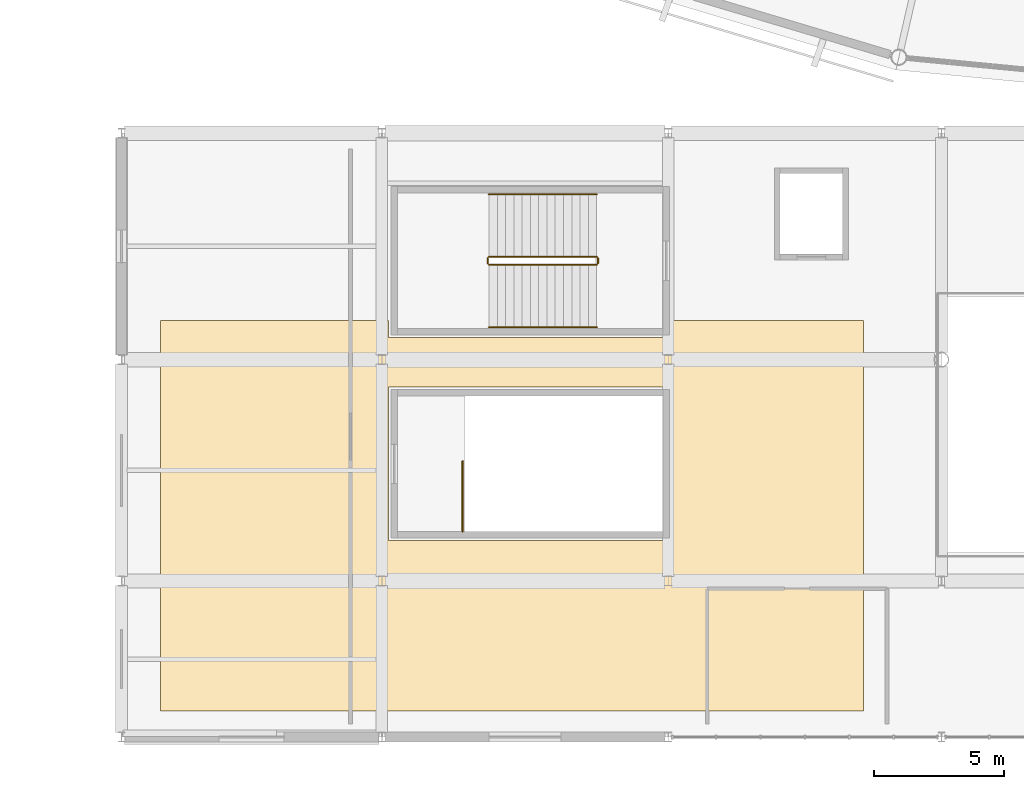
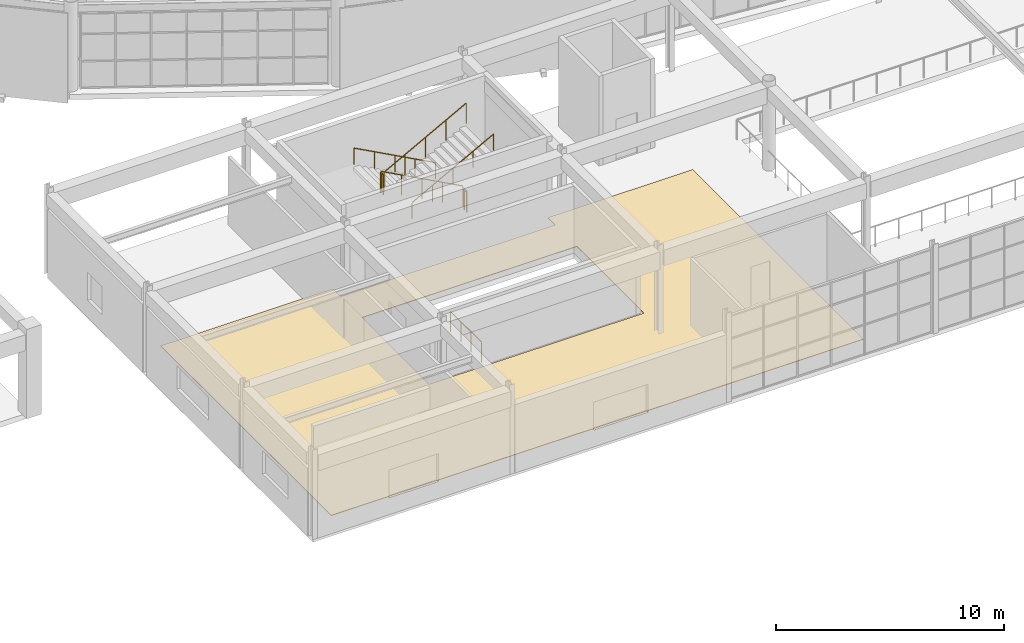
# One storey, part 97 of 112: 7 railings, 1 covering.
"""IFC4 building model written with IfcOpenShell, lengths in metres."""

from ifc_helpers import new_model, si_unit, direction, frame, origin, origin_2d, place, context, subcontext, project, spatial, polyline, circle, outline, extrude, material, layer, layer_set, type_object, element, save


model = new_model("IFC4")

# Units and contexts
model_context = context("Model", 3, precision=1e-05, world=origin(), true_north=direction((0.0, 1.0)))
body_context = subcontext(model_context, "Body", "Model", "MODEL_VIEW")
ifc_project = project(units=[si_unit("LENGTHUNIT", "METRE"), si_unit("AREAUNIT", "SQUARE_METRE"), si_unit("VOLUMEUNIT", "CUBIC_METRE"), si_unit("PLANEANGLEUNIT", "RADIAN"), si_unit("MASSUNIT", "GRAM", prefix="KILO")], contexts=[model_context])

# Site, building, storey
site_placement = place(None, origin())
site = spatial("IfcSite", under=ifc_project, at=site_placement, CompositionType="ELEMENT")
building_placement = place(site_placement, origin())
building = spatial("IfcBuilding", under=site, at=building_placement, Name="Cuetzalor Civic Arena", CompositionType="ELEMENT")
storey_placement = place(building_placement, frame((0.0, 0.0, 11.39990234375)))
storey = spatial("IfcBuildingStorey", under=building, at=storey_placement, Name="L02", CompositionType="ELEMENT", Elevation=11.39990234375)

# Railings
ifc_material_1 = material(Name="Reseda-green architectural Steel S355 balustrade", Category="steel")
railing_type_1 = type_object("IfcRailingType", Name="InteriorVoidBalustrade_1100", PredefinedType="BALUSTRADE", material=ifc_material_1)
railing_1_placement = place(storey_placement, frame((-28.89990234375, -63.60009765625, 0.0)))
element("IfcRailing", 1, at=railing_1_placement, inside=storey, type_object=railing_type_1, Name="L02 ST-09 top well guard 1", PredefinedType="BALUSTRADE", context=body_context, shape_type="SweptSolid", body=[
    extrude(circle(Radius=0.02392578125, at=origin_2d()), frame((0.0, 0.0, 1.0810546875), z_axis=(0.0, 1.0, 0.0), x_axis=(-1.0, 0.0, 0.0)), (0.0, 0.0, 1.0), 2.7001953125),
    extrude(circle(Radius=0.02099609375, at=origin_2d()), origin(), (0.0, 0.0, 1.0), 1.056884765625),
    extrude(circle(Radius=0.02099609375, at=origin_2d()), frame((0.0, 0.900146484375, 0.0)), (0.0, 0.0, 1.0), 1.056884765625),
    extrude(circle(Radius=0.02099609375, at=origin_2d()), frame((0.0, 1.800048828125, 0.0)), (0.0, 0.0, 1.0), 1.056884765625),
    extrude(circle(Radius=0.02099609375, at=origin_2d()), frame((0.0, 2.7001953125, 0.0)), (0.0, 0.0, 1.0), 1.056884765625),
])
railing_2_placement = place(storey_placement, frame((-23.75, -53.050048828125, 0.171630859375)))
element("IfcRailing", 2, at=railing_2_placement, inside=storey, type_object=railing_type_1, Name="L02 ST-10 stair guard 1", PredefinedType="BALUSTRADE", context=body_context, shape_type="SweptSolid", body=[
    extrude(circle(Radius=0.02392578125, at=origin_2d()), frame((0.0, 0.0, 1.0810546875), z_axis=(-0.880248997335, 0.0, 0.474512068014), x_axis=(0.0, -1.0, 0.0)), (0.0, 0.0, 1.0), 4.696533203125),
    extrude(circle(Radius=0.02099609375, at=origin_2d()), origin(), (0.0, 0.0, 1.0), 1.056884765625),
    extrude(circle(Radius=0.02099609375, at=origin_2d()), frame((-1.033447265625, 0.0, 0.55712890625)), (0.0, 0.0, 1.0), 1.056884765625),
    extrude(circle(Radius=0.02099609375, at=origin_2d()), frame((-2.06689453125, 0.0, 1.1142578125)), (0.0, 0.0, 1.0), 1.056884765625),
    extrude(circle(Radius=0.02099609375, at=origin_2d()), frame((-3.1005859375, 0.0, 1.67138671875)), (0.0, 0.0, 1.0), 1.056884765625),
    extrude(circle(Radius=0.02099609375, at=origin_2d()), frame((-4.134033203125, 0.0, 2.228515625)), (0.0, 0.0, 1.0), 1.056884765625),
])
railing_3_placement = place(storey_placement, frame((-27.93408203125, -53.10009765625, 2.400146484375)))
element("IfcRailing", 3, at=railing_3_placement, inside=storey, type_object=railing_type_1, Name="L02 ST-10 stair guard 2", PredefinedType="BALUSTRADE", context=body_context, shape_type="SweptSolid", body=[
    extrude(circle(Radius=0.02392578125, at=origin_2d()), frame((0.0, 0.0, 1.0810546875), z_axis=(0.0, -1.0, 0.0), x_axis=(1.0, 0.0, 0.0)), (0.0, 0.0, 1.0), 0.199951171875),
    extrude(circle(Radius=0.02099609375, at=origin_2d()), origin(), (0.0, 0.0, 1.0), 1.056884765625),
    extrude(circle(Radius=0.02099609375, at=origin_2d()), frame((0.0, -0.199951171875, 0.0)), (0.0, 0.0, 1.0), 1.056884765625),
])
railing_4_placement = place(storey_placement, frame((-27.884033203125, -53.35009765625, 2.571533203125)))
element("IfcRailing", 4, at=railing_4_placement, inside=storey, type_object=railing_type_1, Name="L02 ST-10 stair guard 3", PredefinedType="BALUSTRADE", context=body_context, shape_type="SweptSolid", body=[
    extrude(circle(Radius=0.02392578125, at=origin_2d()), frame((0.0, 0.0, 1.0810546875), z_axis=(0.880248997335, 0.0, 0.474512068014), x_axis=(0.0, 1.0, 0.0)), (0.0, 0.0, 1.0), 4.696533203125),
    extrude(circle(Radius=0.02099609375, at=origin_2d()), origin(), (0.0, 0.0, 1.0), 1.056884765625),
    extrude(circle(Radius=0.02099609375, at=origin_2d()), frame((1.033447265625, 0.0, 0.55712890625)), (0.0, 0.0, 1.0), 1.056884765625),
    extrude(circle(Radius=0.02099609375, at=origin_2d()), frame((2.06689453125, 0.0, 1.1142578125)), (0.0, 0.0, 1.0), 1.056884765625),
    extrude(circle(Radius=0.02099609375, at=origin_2d()), frame((3.1005859375, 0.0, 1.67138671875)), (0.0, 0.0, 1.0), 1.056884765625),
    extrude(circle(Radius=0.02099609375, at=origin_2d()), frame((4.134033203125, 0.0, 2.228515625)), (0.0, 0.0, 1.0), 1.056884765625),
])
railing_5_placement = place(storey_placement, frame((-23.699951171875, -53.10009765625, 0.0)))
element("IfcRailing", 5, at=railing_5_placement, inside=storey, type_object=railing_type_1, Name="L02 ST-10 stair guard 4", PredefinedType="BALUSTRADE", context=body_context, shape_type="SweptSolid", body=[
    extrude(circle(Radius=0.02392578125, at=origin_2d()), frame((0.0, 0.0, 1.0810546875), z_axis=(0.0, -1.0, 0.0), x_axis=(1.0, 0.0, 0.0)), (0.0, 0.0, 1.0), 0.199951171875),
    extrude(circle(Radius=0.02099609375, at=origin_2d()), origin(), (0.0, 0.0, 1.0), 1.056884765625),
    extrude(circle(Radius=0.02099609375, at=origin_2d()), frame((0.0, -0.199951171875, 0.0)), (0.0, 0.0, 1.0), 1.056884765625),
])

# Covering
ifc_material_2 = material(Name="Honed Puebla marble and basalt terrazzo flooring", Category="masonry")
ifc_layer = layer(ifc_material_2, 0.030029296875)
ifc_layer_set = layer_set([ifc_layer], Name="Honed Puebla marble and basalt terrazzo flooring")
covering_type = type_object("IfcCoveringType", Name="PoblanoTerrazzoFlooring_30", PredefinedType="FLOORING", material=ifc_layer_set)
covering_placement = place(storey_placement, origin())
element("IfcCovering", 6, at=covering_placement, inside=storey, type_object=covering_type, Name="Sponsors Dining West Terrazzo", PredefinedType="FLOORING", context=body_context, shape_type="SweptSolid", body=[
    extrude(outline(polyline([(-13.5, -55.5), (-13.5, -70.5), (-40.5, -70.5), (-40.5, -55.5), (-31.75, -55.5), (-31.75, -56.14990234375), (-20.85009765625, -56.14990234375), (-20.85009765625, -55.5), (-13.5, -55.5)]), holes=[polyline([(-20.85009765625, -63.949951171875), (-20.85009765625, -58.050048828125), (-31.75, -58.050048828125), (-31.75, -63.949951171875), (-20.85009765625, -63.949951171875)])]), origin(), (0.0, 0.0, 1.0), 0.030029296875),
])

# Railings
ifc_material_3 = material(Name="Galvanised steel S355", Category="steel")
railing_type_2 = type_object("IfcRailingType", Name="StairPitchHandrail_900", PredefinedType="HANDRAIL", material=ifc_material_3)
railing_6_placement = place(storey_placement, frame((-23.75, -50.64990234375, 0.171630859375)))
element("IfcRailing", 7, at=railing_6_placement, inside=storey, type_object=railing_type_2, Name="L02 ST-10 stair handrail 1", PredefinedType="HANDRAIL", context=body_context, shape_type="SweptSolid", body=[
    extrude(circle(Radius=0.02392578125, at=origin_2d()), frame((0.0, 0.0, 0.8759765625), z_axis=(-0.880248997335, 0.0, 0.474512068014), x_axis=(0.0, -1.0, 0.0)), (0.0, 0.0, 1.0), 4.696533203125),
    extrude(circle(Radius=0.02099609375, at=origin_2d()), origin(), (0.0, 0.0, 1.0), 0.851806640625),
    extrude(circle(Radius=0.02099609375, at=origin_2d()), frame((-1.033447265625, 0.0, 0.55712890625)), (0.0, 0.0, 1.0), 0.851806640625),
    extrude(circle(Radius=0.02099609375, at=origin_2d()), frame((-2.06689453125, 0.0, 1.1142578125)), (0.0, 0.0, 1.0), 0.851806640625),
    extrude(circle(Radius=0.02099609375, at=origin_2d()), frame((-3.1005859375, 0.0, 1.67138671875)), (0.0, 0.0, 1.0), 0.851806640625),
    extrude(circle(Radius=0.02099609375, at=origin_2d()), frame((-4.134033203125, 0.0, 2.228515625)), (0.0, 0.0, 1.0), 0.851806640625),
])
railing_7_placement = place(storey_placement, frame((-27.884033203125, -55.75, 2.571533203125)))
element("IfcRailing", 8, at=railing_7_placement, inside=storey, type_object=railing_type_2, Name="L02 ST-10 stair handrail 2", PredefinedType="HANDRAIL", context=body_context, shape_type="SweptSolid", body=[
    extrude(circle(Radius=0.02392578125, at=origin_2d()), frame((0.0, 0.0, 0.8759765625), z_axis=(0.880248997335, 0.0, 0.474512068014), x_axis=(0.0, 1.0, 0.0)), (0.0, 0.0, 1.0), 4.696533203125),
    extrude(circle(Radius=0.02099609375, at=origin_2d()), origin(), (0.0, 0.0, 1.0), 0.851806640625),
    extrude(circle(Radius=0.02099609375, at=origin_2d()), frame((1.033447265625, 0.0, 0.55712890625)), (0.0, 0.0, 1.0), 0.851806640625),
    extrude(circle(Radius=0.02099609375, at=origin_2d()), frame((2.06689453125, 0.0, 1.1142578125)), (0.0, 0.0, 1.0), 0.851806640625),
    extrude(circle(Radius=0.02099609375, at=origin_2d()), frame((3.1005859375, 0.0, 1.67138671875)), (0.0, 0.0, 1.0), 0.851806640625),
    extrude(circle(Radius=0.02099609375, at=origin_2d()), frame((4.134033203125, 0.0, 2.228515625)), (0.0, 0.0, 1.0), 0.851806640625),
])

save(model, "model.ifc")
